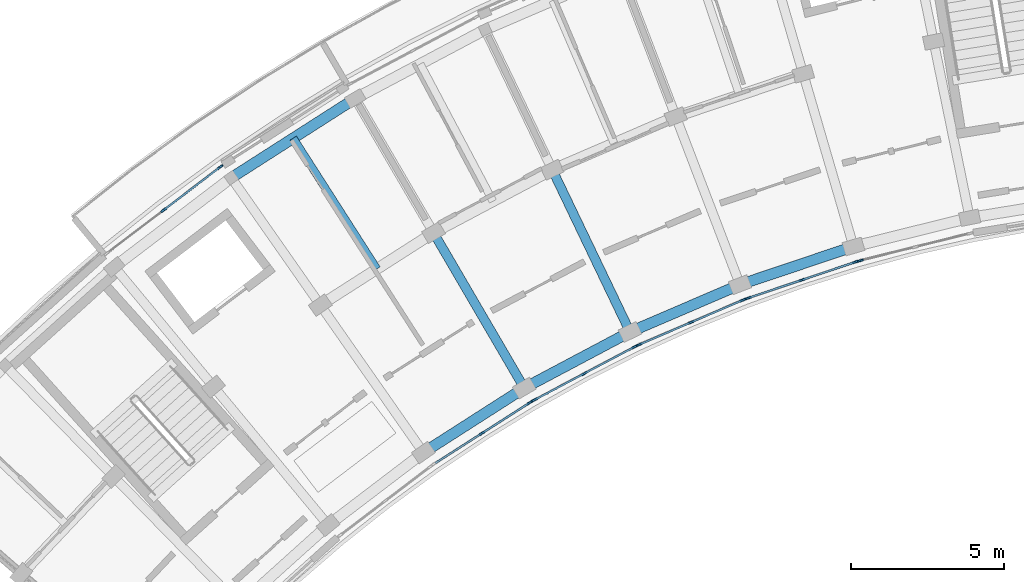
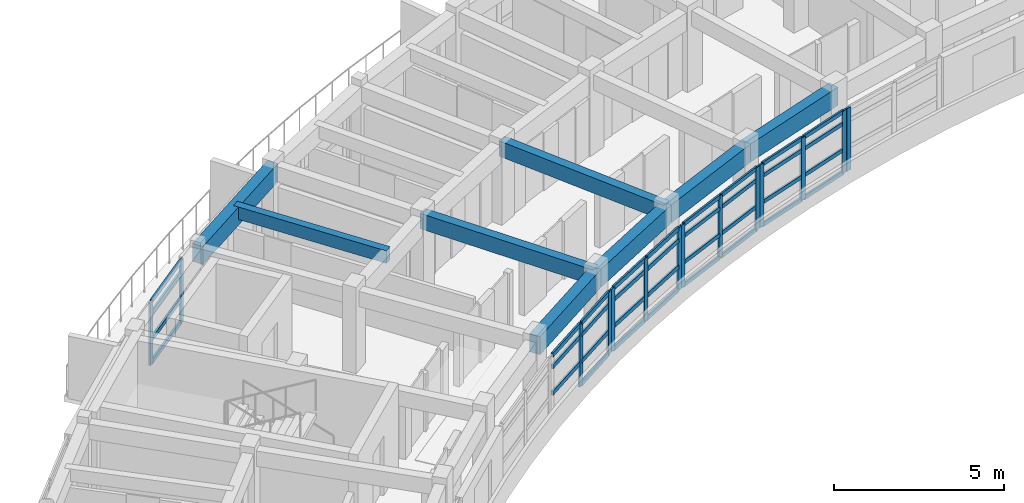
# One storey, part 8 of 20: 49 members, 8 beams, 6 elements without a shape of their own.
"""IFC4 building model written with IfcOpenShell, lengths in metres."""

from ifc_helpers import new_model, si_unit, direction, frame, origin, origin_2d, place, context, subcontext, project, spatial, rectangle, extrude, material, material_profile, profile_set, type_object, element, aggregate, save


model = new_model("IFC4")

# Units and contexts
model_context = context("Model", 3, precision=1e-05, world=origin(), true_north=direction((0.0, 1.0)))
body_context = subcontext(model_context, "Body", "Model", "MODEL_VIEW")
ifc_project = project(units=[si_unit("LENGTHUNIT", "METRE"), si_unit("AREAUNIT", "SQUARE_METRE"), si_unit("VOLUMEUNIT", "CUBIC_METRE"), si_unit("PLANEANGLEUNIT", "RADIAN"), si_unit("MASSUNIT", "GRAM", prefix="KILO")], contexts=[model_context])

# Site, building, storey
site_placement = place(None, origin())
site = spatial("IfcSite", under=ifc_project, at=site_placement, CompositionType="ELEMENT")
building_placement = place(site_placement, origin())
building = spatial("IfcBuilding", under=site, at=building_placement, Name="Zimvara Arc Housing Community", CompositionType="ELEMENT")
storey_placement = place(building_placement, frame((0.0, 0.0, 39.10009765625)))
storey = spatial("IfcBuildingStorey", under=building, at=storey_placement, Name="L12", CompositionType="ELEMENT", Elevation=39.10009765625)

# Beams
ifc_material_1 = material(Name="Concrete C40/50", Category="concrete")
ifc_material_profile_1 = material_profile(ifc_material_1, rectangle(XDim=0.25, YDim=0.449951171875, at=origin_2d()), Name="RC 250x450")
ifc_profile_set_1 = profile_set([ifc_material_profile_1], Name="Concrete C40/50")
beam_type_1 = type_object("IfcBeamType", Name="BM-RC-250x450", PredefinedType="JOIST", material=ifc_profile_set_1)
beam_1_placement = place(storey_placement, frame((16.0224609375, 89.776123046875, 2.635009765625), z_axis=(-0.539052331508, 0.842272274206, 0.0), x_axis=(-0.842272274206, -0.539052331508, 0.0)))
element("IfcBeam", 1, at=beam_1_placement, inside=storey, type_object=beam_type_1, Name="bm:blkA:L12:joist:b3", PredefinedType="JOIST", context=body_context, shape_type="SweptSolid", body=[
    extrude(rectangle(XDim=0.25, YDim=0.449951171875, at=origin_2d()), origin(), (0.0, 0.0, 1.0), 5.07568359375),
])
ifc_material_2 = material(Name="Concrete C40/50", Category="concrete")
ifc_material_profile_2 = material_profile(ifc_material_2, rectangle(XDim=0.300048828125, YDim=0.550048828125, at=origin_2d()), Name="RC 300x550")
ifc_profile_set_2 = profile_set([ifc_material_profile_2], Name="Concrete C40/50")
beam_type_2 = type_object("IfcBeamType", Name="BM-RC-300x550", PredefinedType="BEAM", material=ifc_profile_set_2)
beam_2_placement = place(storey_placement, frame((20.83740234375, 85.88232421875, 2.5849609375), z_axis=(-0.504219494781, 0.863575532934, 0.0), x_axis=(-0.863575532934, -0.504219494781, 0.0)))
element("IfcBeam", 2, at=beam_2_placement, inside=storey, type_object=beam_type_2, Name="bm:blkA:L12:rad:b4:r12", PredefinedType="BEAM", context=body_context, shape_type="SweptSolid", body=[
    extrude(rectangle(XDim=0.300048828125, YDim=0.550048828125, at=origin_2d()), origin(), (0.0, 0.0, 1.0), 5.880126953125),
])
beam_3_placement = place(storey_placement, frame((24.29443359375, 87.7158203125, 2.5849609375), z_axis=(-0.432069527705, 0.901840298073, 0.0), x_axis=(-0.901840298073, -0.432069527705, 0.0)))
element("IfcBeam", 3, at=beam_3_placement, inside=storey, type_object=beam_type_2, Name="bm:blkA:L12:rad:b5:r12", PredefinedType="BEAM", context=body_context, shape_type="SweptSolid", body=[
    extrude(rectangle(XDim=0.300048828125, YDim=0.550048828125, at=origin_2d()), origin(), (0.0, 0.0, 1.0), 5.8798828125),
])
ifc_material_3 = material(Name="Concrete C40/50", Category="concrete")
ifc_material_profile_3 = material_profile(ifc_material_3, rectangle(XDim=0.35009765625, YDim=0.64990234375, at=origin_2d()), Name="RC 350x650")
ifc_profile_set_3 = profile_set([ifc_material_profile_3], Name="Concrete C40/50")
beam_type_3 = type_object("IfcBeamType", Name="BM-RC-350x650", PredefinedType="BEAM", material=ifc_profile_set_3)
beam_4_placement = place(storey_placement, frame((17.541748046875, 83.77294921875, 2.534912109375), z_axis=(0.842253269878, 0.539082024724, 0.0), x_axis=(-0.539082024724, 0.842253269878, 0.0)))
element("IfcBeam", 4, at=beam_4_placement, inside=storey, type_object=beam_type_3, Name="bm:blkA:L12:chord:r1:b3", PredefinedType="BEAM", context=body_context, shape_type="SweptSolid", body=[
    extrude(rectangle(XDim=0.35009765625, YDim=0.64990234375, at=origin_2d()), origin(), (0.0, 0.0, 1.0), 3.912841796875),
])
for number, where, z_axis, x_axis, name in (
    (5, (20.83740234375, 85.88232421875, 2.534912109375), (0.883438625159, 0.468546897948, 0.0), (-0.468546897948, 0.883438625159, 0.0), "bm:blkA:L12:chord:r1:b4"),
    (6, (24.29443359375, 87.7158203125, 2.534912109375), (0.91873144242, 0.394882940514, 0.0), (-0.394882940514, 0.91873144242, 0.0), "bm:blkA:L12:chord:r1:b5"),
    (7, (27.889404296875, 89.260986328125, 2.534912109375), (0.947881689069, 0.31862250945, 0.0), (-0.31862250945, 0.947881689069, 0.0), "bm:blkA:L12:chord:r1:b6"),
):
    element("IfcBeam", number, at=place(storey_placement, frame(where, z_axis=z_axis, x_axis=x_axis)), inside=storey, type_object=beam_type_3, Name=name, PredefinedType="BEAM", context=body_context, shape_type="SweptSolid", body=[
        extrude(rectangle(XDim=0.35009765625, YDim=0.64990234375, at=origin_2d()), origin(), (0.0, 0.0, 1.0), 3.9130859375),
    ])
beam_5_placement = place(storey_placement, frame((11.261474609375, 92.755126953125, 2.534912109375), z_axis=(0.842255724028, 0.539078190379, 0.0), x_axis=(-0.539078190379, 0.842255724028, 0.0)))
element("IfcBeam", 8, at=beam_5_placement, inside=storey, type_object=beam_type_3, Name="bm:blkA:L12:chord:r3:b3", PredefinedType="BEAM", context=body_context, shape_type="SweptSolid", body=[
    extrude(rectangle(XDim=0.35009765625, YDim=0.64990234375, at=origin_2d()), origin(), (0.0, 0.0, 1.0), 4.808349609375),
])

# Curtain wall, members
ifc_material_4 = material(Name="Anodised Aluminium AW-6063", Category="aluminium")
curtain_wall_type_1 = type_object("IfcCurtainWallType", Name="CW-SYS-02", PredefinedType="USERDEFINED", material=ifc_material_4)
curtain_wall_1_placement = place(storey_placement, origin())
curtain_wall_1 = element("IfcCurtainWall", 9, at=curtain_wall_1_placement, inside=storey, type_object=curtain_wall_type_1, Name="cw:blkA:L12:in:b5", ObjectType="CURTAIN WALL", PredefinedType="USERDEFINED")
ifc_material_5 = material(Name="Anodised Aluminium AW-6063", Category="aluminium")
ifc_material_profile_4 = material_profile(ifc_material_5, rectangle(XDim=0.06494140625, YDim=0.179931640625, at=origin_2d()), Name="ALU 65x180")
ifc_profile_set_4 = profile_set([ifc_material_profile_4], Name="Anodised Aluminium AW-6063")
member_type_1 = type_object("IfcMemberType", Name="CWM-65x150", PredefinedType="MULLION", material=ifc_profile_set_4)
member_1_placement = place(storey_placement, frame((24.595458984375, 87.301513671875, 0.0), z_axis=(0.0, 0.0, 1.0), x_axis=(-0.394903951674, 0.918722411261, 0.0)))
member_1 = element("IfcMember", 10, at=member_1_placement, type_object=member_type_1, Name="CW02 mullion 1", PredefinedType="MULLION", context=body_context, shape_type="SweptSolid", body=[
    extrude(rectangle(XDim=0.06494140625, YDim=0.179931640625, at=origin_2d()), origin(), (0.0, 0.0, 1.0), 2.25),
])
member_2_placement = place(storey_placement, frame((26.289306640625, 88.029541015625, 0.0), z_axis=(0.0, 0.0, 1.0), x_axis=(-0.394903951674, 0.918722411261, 0.0)))
member_2 = element("IfcMember", 11, at=member_2_placement, type_object=member_type_1, Name="CW02 mullion 2", PredefinedType="MULLION", context=body_context, shape_type="SweptSolid", body=[
    extrude(rectangle(XDim=0.06494140625, YDim=0.179931640625, at=origin_2d()), origin(), (0.0, 0.0, 1.0), 2.25),
])
member_3_placement = place(storey_placement, frame((27.983154296875, 88.757568359375, 0.0), z_axis=(0.0, 0.0, 1.0), x_axis=(-0.394903951674, 0.918722411261, 0.0)))
member_3 = element("IfcMember", 12, at=member_3_placement, type_object=member_type_1, Name="CW02 mullion 3", PredefinedType="MULLION", context=body_context, shape_type="SweptSolid", body=[
    extrude(rectangle(XDim=0.06494140625, YDim=0.179931640625, at=origin_2d()), origin(), (0.0, 0.0, 1.0), 2.25),
])

ifc_material_6 = material(Name="Anodised Aluminium AW-6063", Category="aluminium")
curtain_wall_type_2 = type_object("IfcCurtainWallType", Name="CW-SYS-04", PredefinedType="USERDEFINED", material=ifc_material_6)
curtain_wall_2_placement = place(storey_placement, origin())
curtain_wall_2 = element("IfcCurtainWall", 13, at=curtain_wall_2_placement, inside=storey, type_object=curtain_wall_type_2, Name="cw:blkA:L12:in:b6", ObjectType="CURTAIN WALL", PredefinedType="USERDEFINED")
member_4_placement = place(storey_placement, frame((28.15576171875, 88.823486328125, 0.0), z_axis=(0.0, 0.0, 1.0), x_axis=(-0.318626909491, 0.94788021002, 0.0)))
member_4 = element("IfcMember", 14, at=member_4_placement, type_object=member_type_1, Name="CW04 mullion 1", PredefinedType="MULLION", context=body_context, shape_type="SweptSolid", body=[
    extrude(rectangle(XDim=0.06494140625, YDim=0.179931640625, at=origin_2d()), origin(), (0.0, 0.0, 1.0), 2.25),
])
member_5_placement = place(storey_placement, frame((29.9033203125, 89.410888671875, 0.0), z_axis=(0.0, 0.0, 1.0), x_axis=(-0.318626909491, 0.94788021002, 0.0)))
member_5 = element("IfcMember", 15, at=member_5_placement, type_object=member_type_1, Name="CW04 mullion 2", PredefinedType="MULLION", context=body_context, shape_type="SweptSolid", body=[
    extrude(rectangle(XDim=0.06494140625, YDim=0.179931640625, at=origin_2d()), origin(), (0.0, 0.0, 1.0), 2.25),
])
member_6_placement = place(storey_placement, frame((31.65087890625, 89.998291015625, 0.0), z_axis=(0.0, 0.0, 1.0), x_axis=(-0.318626909491, 0.94788021002, 0.0)))
member_6 = element("IfcMember", 16, at=member_6_placement, type_object=member_type_1, Name="CW04 mullion 3", PredefinedType="MULLION", context=body_context, shape_type="SweptSolid", body=[
    extrude(rectangle(XDim=0.06494140625, YDim=0.179931640625, at=origin_2d()), origin(), (0.0, 0.0, 1.0), 2.25),
])

# Curtain wall, member
ifc_material_7 = material(Name="Anodised Aluminium AW-6063", Category="aluminium")
curtain_wall_type_3 = type_object("IfcCurtainWallType", Name="CW-SYS-06", PredefinedType="USERDEFINED", material=ifc_material_7)
curtain_wall_3_placement = place(storey_placement, origin())
curtain_wall_3 = element("IfcCurtainWall", 17, at=curtain_wall_3_placement, inside=storey, type_object=curtain_wall_type_3, Name="cw:blkA:L12:in:b7", ObjectType="CURTAIN WALL", PredefinedType="USERDEFINED")
member_7_placement = place(storey_placement, frame((31.828369140625, 90.050048828125, 0.0), z_axis=(0.0, 0.0, 1.0), x_axis=(-0.240229186313, 0.970716198507, 0.0)))
member_7 = element("IfcMember", 18, at=member_7_placement, type_object=member_type_1, Name="CW06 mullion 1", PredefinedType="MULLION", context=body_context, shape_type="SweptSolid", body=[
    extrude(rectangle(XDim=0.06494140625, YDim=0.179931640625, at=origin_2d()), origin(), (0.0, 0.0, 1.0), 2.25),
])
aggregate(curtain_wall_3, [member_7])

# Curtain wall, members
ifc_material_8 = material(Name="Anodised Aluminium AW-6063", Category="aluminium")
curtain_wall_type_4 = type_object("IfcCurtainWallType", Name="CW-SYS-05", PredefinedType="USERDEFINED", material=ifc_material_8)
curtain_wall_4_placement = place(storey_placement, origin())
curtain_wall_4 = element("IfcCurtainWall", 19, at=curtain_wall_4_placement, inside=storey, type_object=curtain_wall_type_4, Name="cw:blkA:L12:out:b2", ObjectType="CURTAIN WALL", PredefinedType="USERDEFINED")
ifc_material_9 = material(Name="Anodised Aluminium AW-6063", Category="aluminium")
ifc_material_profile_5 = material_profile(ifc_material_9, rectangle(XDim=0.06494140625, YDim=0.195068359375, at=origin_2d()), Name="ALU 65x195")
ifc_profile_set_5 = profile_set([ifc_material_profile_5], Name="Anodised Aluminium AW-6063")
member_type_2 = type_object("IfcMemberType", Name="CWM-65x180", PredefinedType="MULLION", material=ifc_profile_set_5)
member_8_placement = place(storey_placement, frame((9.04638671875, 91.69580078125, 0.0), z_axis=(0.0, 0.0, 1.0), x_axis=(-0.60598771987, 0.795473999177, 0.0)))
member_8 = element("IfcMember", 20, at=member_8_placement, type_object=member_type_2, Name="CW05 mullion 2", PredefinedType="MULLION", context=body_context, shape_type="SweptSolid", body=[
    extrude(rectangle(XDim=0.06494140625, YDim=0.195068359375, at=origin_2d()), origin(), (0.0, 0.0, 1.0), 2.25),
])
member_9_placement = place(storey_placement, frame((10.9013671875, 93.10888671875, 0.0), z_axis=(0.0, 0.0, 1.0), x_axis=(-0.60598771987, 0.795473999177, 0.0)))
member_9 = element("IfcMember", 21, at=member_9_placement, type_object=member_type_2, Name="CW05 mullion 3", PredefinedType="MULLION", context=body_context, shape_type="SweptSolid", body=[
    extrude(rectangle(XDim=0.06494140625, YDim=0.195068359375, at=origin_2d()), origin(), (0.0, 0.0, 1.0), 2.25),
])

ifc_material_10 = material(Name="Anodised Aluminium AW-6063", Category="aluminium")
curtain_wall_type_5 = type_object("IfcCurtainWallType", Name="CW-SYS-07", PredefinedType="USERDEFINED", material=ifc_material_10)
curtain_wall_5_placement = place(storey_placement, origin())
curtain_wall_5 = element("IfcCurtainWall", 22, at=curtain_wall_5_placement, inside=storey, type_object=curtain_wall_type_5, Name="cw:blkA:L12:in:b3", ObjectType="CURTAIN WALL", PredefinedType="USERDEFINED")
member_10_placement = place(storey_placement, frame((19.458984375, 84.406982421875, 0.0), z_axis=(0.0, 0.0, 1.0), x_axis=(-0.539065115913, 0.842264092079, 0.0)))
member_10 = element("IfcMember", 23, at=member_10_placement, type_object=member_type_2, Name="CW07 mullion 2", PredefinedType="MULLION", context=body_context, shape_type="SweptSolid", body=[
    extrude(rectangle(XDim=0.06494140625, YDim=0.195068359375, at=origin_2d()), origin(), (0.0, 0.0, 1.0), 2.25),
])
member_11_placement = place(storey_placement, frame((21.01171875, 85.400634765625, 0.0), z_axis=(0.0, 0.0, 1.0), x_axis=(-0.539065115913, 0.842264092079, 0.0)))
member_11 = element("IfcMember", 24, at=member_11_placement, type_object=member_type_2, Name="CW07 mullion 3", PredefinedType="MULLION", context=body_context, shape_type="SweptSolid", body=[
    extrude(rectangle(XDim=0.06494140625, YDim=0.195068359375, at=origin_2d()), origin(), (0.0, 0.0, 1.0), 2.25),
])

ifc_material_11 = material(Name="Anodised Aluminium AW-6063", Category="aluminium")
curtain_wall_type_6 = type_object("IfcCurtainWallType", Name="CW-SYS-01", PredefinedType="USERDEFINED", material=ifc_material_11)
curtain_wall_6_placement = place(storey_placement, origin())
curtain_wall_6 = element("IfcCurtainWall", 25, at=curtain_wall_6_placement, inside=storey, type_object=curtain_wall_type_6, Name="cw:blkA:L12:in:b4", ObjectType="CURTAIN WALL", PredefinedType="USERDEFINED")
member_12_placement = place(storey_placement, frame((21.17138671875, 85.493896484375, 0.0), z_axis=(0.0, 0.0, 1.0), x_axis=(-0.468547099195, 0.883438518424, 0.0)))
member_12 = element("IfcMember", 26, at=member_12_placement, type_object=member_type_2, Name="CW01 mullion 1", PredefinedType="MULLION", context=body_context, shape_type="SweptSolid", body=[
    extrude(rectangle(XDim=0.06494140625, YDim=0.195068359375, at=origin_2d()), origin(), (0.0, 0.0, 1.0), 2.25),
])
member_13_placement = place(storey_placement, frame((22.800048828125, 86.357666015625, 0.0), z_axis=(0.0, 0.0, 1.0), x_axis=(-0.468547099195, 0.883438518424, 0.0)))
member_13 = element("IfcMember", 27, at=member_13_placement, type_object=member_type_2, Name="CW01 mullion 2", PredefinedType="MULLION", context=body_context, shape_type="SweptSolid", body=[
    extrude(rectangle(XDim=0.06494140625, YDim=0.195068359375, at=origin_2d()), origin(), (0.0, 0.0, 1.0), 2.25),
])
member_14_placement = place(storey_placement, frame((24.4287109375, 87.2216796875, 0.0), z_axis=(0.0, 0.0, 1.0), x_axis=(-0.468547099195, 0.883438518424, 0.0)))
member_14 = element("IfcMember", 28, at=member_14_placement, type_object=member_type_2, Name="CW01 mullion 3", PredefinedType="MULLION", context=body_context, shape_type="SweptSolid", body=[
    extrude(rectangle(XDim=0.06494140625, YDim=0.195068359375, at=origin_2d()), origin(), (0.0, 0.0, 1.0), 2.25),
])

# Member
ifc_material_12 = material(Name="Anodised Aluminium AW-6063", Category="aluminium")
ifc_material_profile_6 = material_profile(ifc_material_12, rectangle(XDim=0.06494140625, YDim=0.139892578125, at=origin_2d()), Name="ALU 65x140")
ifc_profile_set_6 = profile_set([ifc_material_profile_6], Name="Anodised Aluminium AW-6063")
member_type_3 = type_object("IfcMemberType", Name="CWT-65x120", PredefinedType="USERDEFINED", material=ifc_profile_set_6)
member_15_placement = place(storey_placement, frame((24.625244140625, 87.314208984375, 0.032470703125), z_axis=(0.918739899324, 0.39486326417, 0.0), x_axis=(-0.39486326417, 0.918739899324, 0.0)))
member_15 = element("IfcMember", 29, at=member_15_placement, type_object=member_type_3, Name="CW02 transom 1.1", ObjectType="TRANSOM", PredefinedType="USERDEFINED", context=body_context, shape_type="SweptSolid", body=[
    extrude(rectangle(XDim=0.06494140625, YDim=0.139892578125, at=origin_2d()), origin(), (0.0, 0.0, 1.0), 1.77880859375),
])

member_16_placement = place(storey_placement, frame((24.625244140625, 87.314208984375, 0.849853515625), z_axis=(0.918739899324, 0.39486326417, 0.0), x_axis=(-0.39486326417, 0.918739899324, 0.0)))
member_16 = element("IfcMember", 30, at=member_16_placement, type_object=member_type_3, Name="CW02 transom 1.2", ObjectType="TRANSOM", PredefinedType="USERDEFINED", context=body_context, shape_type="SweptSolid", body=[
    extrude(rectangle(XDim=0.06494140625, YDim=0.139892578125, at=origin_2d()), origin(), (0.0, 0.0, 1.0), 1.77880859375),
])

member_17_placement = place(storey_placement, frame((24.625244140625, 87.314208984375, 1.7998046875), z_axis=(0.918739899324, 0.39486326417, 0.0), x_axis=(-0.39486326417, 0.918739899324, 0.0)))
member_17 = element("IfcMember", 31, at=member_17_placement, type_object=member_type_3, Name="CW02 transom 1.3", ObjectType="TRANSOM", PredefinedType="USERDEFINED", context=body_context, shape_type="SweptSolid", body=[
    extrude(rectangle(XDim=0.06494140625, YDim=0.139892578125, at=origin_2d()), origin(), (0.0, 0.0, 1.0), 1.77880859375),
])

member_18_placement = place(storey_placement, frame((24.625244140625, 87.314208984375, 2.21728515625), z_axis=(0.918739899324, 0.39486326417, 0.0), x_axis=(-0.39486326417, 0.918739899324, 0.0)))
member_18 = element("IfcMember", 32, at=member_18_placement, type_object=member_type_3, Name="CW02 transom 1.4", ObjectType="TRANSOM", PredefinedType="USERDEFINED", context=body_context, shape_type="SweptSolid", body=[
    extrude(rectangle(XDim=0.06494140625, YDim=0.139892578125, at=origin_2d()), origin(), (0.0, 0.0, 1.0), 1.77880859375),
])

member_19_placement = place(storey_placement, frame((26.319091796875, 88.042236328125, 0.032470703125), z_axis=(0.918718495938, 0.394913060334, 0.0), x_axis=(-0.394913060334, 0.918718495938, 0.0)))
member_19 = element("IfcMember", 33, at=member_19_placement, type_object=member_type_3, Name="CW02 transom 2.1", ObjectType="TRANSOM", PredefinedType="USERDEFINED", context=body_context, shape_type="SweptSolid", body=[
    extrude(rectangle(XDim=0.06494140625, YDim=0.139892578125, at=origin_2d()), origin(), (0.0, 0.0, 1.0), 1.778564453125),
])

member_20_placement = place(storey_placement, frame((26.319091796875, 88.042236328125, 0.849853515625), z_axis=(0.918718495938, 0.394913060334, 0.0), x_axis=(-0.394913060334, 0.918718495938, 0.0)))
member_20 = element("IfcMember", 34, at=member_20_placement, type_object=member_type_3, Name="CW02 transom 2.2", ObjectType="TRANSOM", PredefinedType="USERDEFINED", context=body_context, shape_type="SweptSolid", body=[
    extrude(rectangle(XDim=0.06494140625, YDim=0.139892578125, at=origin_2d()), origin(), (0.0, 0.0, 1.0), 1.778564453125),
])

member_21_placement = place(storey_placement, frame((26.319091796875, 88.042236328125, 1.7998046875), z_axis=(0.918718495938, 0.394913060334, 0.0), x_axis=(-0.394913060334, 0.918718495938, 0.0)))
member_21 = element("IfcMember", 35, at=member_21_placement, type_object=member_type_3, Name="CW02 transom 2.3", ObjectType="TRANSOM", PredefinedType="USERDEFINED", context=body_context, shape_type="SweptSolid", body=[
    extrude(rectangle(XDim=0.06494140625, YDim=0.139892578125, at=origin_2d()), origin(), (0.0, 0.0, 1.0), 1.778564453125),
])

member_22_placement = place(storey_placement, frame((26.319091796875, 88.042236328125, 2.21728515625), z_axis=(0.918718495938, 0.394913060334, 0.0), x_axis=(-0.394913060334, 0.918718495938, 0.0)))
member_22 = element("IfcMember", 36, at=member_22_placement, type_object=member_type_3, Name="CW02 transom 2.4", ObjectType="TRANSOM", PredefinedType="USERDEFINED", context=body_context, shape_type="SweptSolid", body=[
    extrude(rectangle(XDim=0.06494140625, YDim=0.139892578125, at=origin_2d()), origin(), (0.0, 0.0, 1.0), 1.778564453125),
])

aggregate(curtain_wall_1, [member_1, member_2, member_3, member_15, member_16, member_17, member_18, member_19, member_20, member_21, member_22])

member_23_placement = place(storey_placement, frame((28.1865234375, 88.833984375, 0.032470703125), z_axis=(0.947884095882, 0.318615349246, 0.0), x_axis=(-0.318615349246, 0.947884095882, 0.0)))
member_23 = element("IfcMember", 37, at=member_23_placement, type_object=member_type_3, Name="CW04 transom 1.1", ObjectType="TRANSOM", PredefinedType="USERDEFINED", context=body_context, shape_type="SweptSolid", body=[
    extrude(rectangle(XDim=0.06494140625, YDim=0.139892578125, at=origin_2d()), origin(), (0.0, 0.0, 1.0), 1.778564453125),
])

member_24_placement = place(storey_placement, frame((28.1865234375, 88.833984375, 0.849853515625), z_axis=(0.947884095882, 0.318615349246, 0.0), x_axis=(-0.318615349246, 0.947884095882, 0.0)))
member_24 = element("IfcMember", 38, at=member_24_placement, type_object=member_type_3, Name="CW04 transom 1.2", ObjectType="TRANSOM", PredefinedType="USERDEFINED", context=body_context, shape_type="SweptSolid", body=[
    extrude(rectangle(XDim=0.06494140625, YDim=0.139892578125, at=origin_2d()), origin(), (0.0, 0.0, 1.0), 1.778564453125),
])

member_25_placement = place(storey_placement, frame((28.1865234375, 88.833984375, 1.7998046875), z_axis=(0.947884095882, 0.318615349246, 0.0), x_axis=(-0.318615349246, 0.947884095882, 0.0)))
member_25 = element("IfcMember", 39, at=member_25_placement, type_object=member_type_3, Name="CW04 transom 1.3", ObjectType="TRANSOM", PredefinedType="USERDEFINED", context=body_context, shape_type="SweptSolid", body=[
    extrude(rectangle(XDim=0.06494140625, YDim=0.139892578125, at=origin_2d()), origin(), (0.0, 0.0, 1.0), 1.778564453125),
])

member_26_placement = place(storey_placement, frame((28.1865234375, 88.833984375, 2.21728515625), z_axis=(0.947884095882, 0.318615349246, 0.0), x_axis=(-0.318615349246, 0.947884095882, 0.0)))
member_26 = element("IfcMember", 40, at=member_26_placement, type_object=member_type_3, Name="CW04 transom 1.4", ObjectType="TRANSOM", PredefinedType="USERDEFINED", context=body_context, shape_type="SweptSolid", body=[
    extrude(rectangle(XDim=0.06494140625, YDim=0.139892578125, at=origin_2d()), origin(), (0.0, 0.0, 1.0), 1.778564453125),
])

member_27_placement = place(storey_placement, frame((29.93408203125, 89.42138671875, 0.032470703125), z_axis=(0.947884095882, 0.318615349246, 0.0), x_axis=(-0.318615349246, 0.947884095882, 0.0)))
member_27 = element("IfcMember", 41, at=member_27_placement, type_object=member_type_3, Name="CW04 transom 2.1", ObjectType="TRANSOM", PredefinedType="USERDEFINED", context=body_context, shape_type="SweptSolid", body=[
    extrude(rectangle(XDim=0.06494140625, YDim=0.139892578125, at=origin_2d()), origin(), (0.0, 0.0, 1.0), 1.778564453125),
])

member_28_placement = place(storey_placement, frame((29.93408203125, 89.42138671875, 0.849853515625), z_axis=(0.947884095882, 0.318615349246, 0.0), x_axis=(-0.318615349246, 0.947884095882, 0.0)))
member_28 = element("IfcMember", 42, at=member_28_placement, type_object=member_type_3, Name="CW04 transom 2.2", ObjectType="TRANSOM", PredefinedType="USERDEFINED", context=body_context, shape_type="SweptSolid", body=[
    extrude(rectangle(XDim=0.06494140625, YDim=0.139892578125, at=origin_2d()), origin(), (0.0, 0.0, 1.0), 1.778564453125),
])

member_29_placement = place(storey_placement, frame((29.93408203125, 89.42138671875, 1.7998046875), z_axis=(0.947884095882, 0.318615349246, 0.0), x_axis=(-0.318615349246, 0.947884095882, 0.0)))
member_29 = element("IfcMember", 43, at=member_29_placement, type_object=member_type_3, Name="CW04 transom 2.3", ObjectType="TRANSOM", PredefinedType="USERDEFINED", context=body_context, shape_type="SweptSolid", body=[
    extrude(rectangle(XDim=0.06494140625, YDim=0.139892578125, at=origin_2d()), origin(), (0.0, 0.0, 1.0), 1.778564453125),
])

member_30_placement = place(storey_placement, frame((29.93408203125, 89.42138671875, 2.21728515625), z_axis=(0.947884095882, 0.318615349246, 0.0), x_axis=(-0.318615349246, 0.947884095882, 0.0)))
member_30 = element("IfcMember", 44, at=member_30_placement, type_object=member_type_3, Name="CW04 transom 2.4", ObjectType="TRANSOM", PredefinedType="USERDEFINED", context=body_context, shape_type="SweptSolid", body=[
    extrude(rectangle(XDim=0.06494140625, YDim=0.139892578125, at=origin_2d()), origin(), (0.0, 0.0, 1.0), 1.778564453125),
])

aggregate(curtain_wall_2, [member_4, member_5, member_6, member_23, member_24, member_25, member_26, member_27, member_28, member_29, member_30])

ifc_material_13 = material(Name="Anodised Aluminium AW-6063", Category="aluminium")
ifc_material_profile_7 = material_profile(ifc_material_13, rectangle(XDim=0.06494140625, YDim=0.155029296875, at=origin_2d()), Name="ALU 65x155")
ifc_profile_set_7 = profile_set([ifc_material_profile_7], Name="Anodised Aluminium AW-6063")
member_type_4 = type_object("IfcMemberType", Name="CWT-65x140", PredefinedType="USERDEFINED", material=ifc_profile_set_7)
member_31_placement = place(storey_placement, frame((9.072265625, 91.715576171875, 0.032470703125), z_axis=(0.795453969776, 0.606014011363, 0.0), x_axis=(-0.606014011363, 0.795453969776, 0.0)))
member_31 = element("IfcMember", 45, at=member_31_placement, type_object=member_type_4, Name="CW05 transom 2.1", ObjectType="TRANSOM", PredefinedType="USERDEFINED", context=body_context, shape_type="SweptSolid", body=[
    extrude(rectangle(XDim=0.06494140625, YDim=0.155029296875, at=origin_2d()), origin(), (0.0, 0.0, 1.0), 2.266845703125),
])

member_32_placement = place(storey_placement, frame((9.072265625, 91.715576171875, 0.849853515625), z_axis=(0.795453969776, 0.606014011363, 0.0), x_axis=(-0.606014011363, 0.795453969776, 0.0)))
member_32 = element("IfcMember", 46, at=member_32_placement, type_object=member_type_4, Name="CW05 transom 2.2", ObjectType="TRANSOM", PredefinedType="USERDEFINED", context=body_context, shape_type="SweptSolid", body=[
    extrude(rectangle(XDim=0.06494140625, YDim=0.155029296875, at=origin_2d()), origin(), (0.0, 0.0, 1.0), 2.266845703125),
])

member_33_placement = place(storey_placement, frame((9.072265625, 91.715576171875, 1.7998046875), z_axis=(0.795453969776, 0.606014011363, 0.0), x_axis=(-0.606014011363, 0.795453969776, 0.0)))
member_33 = element("IfcMember", 47, at=member_33_placement, type_object=member_type_4, Name="CW05 transom 2.3", ObjectType="TRANSOM", PredefinedType="USERDEFINED", context=body_context, shape_type="SweptSolid", body=[
    extrude(rectangle(XDim=0.06494140625, YDim=0.155029296875, at=origin_2d()), origin(), (0.0, 0.0, 1.0), 2.266845703125),
])

member_34_placement = place(storey_placement, frame((9.072265625, 91.715576171875, 2.21728515625), z_axis=(0.795453969776, 0.606014011363, 0.0), x_axis=(-0.606014011363, 0.795453969776, 0.0)))
member_34 = element("IfcMember", 48, at=member_34_placement, type_object=member_type_4, Name="CW05 transom 2.4", ObjectType="TRANSOM", PredefinedType="USERDEFINED", context=body_context, shape_type="SweptSolid", body=[
    extrude(rectangle(XDim=0.06494140625, YDim=0.155029296875, at=origin_2d()), origin(), (0.0, 0.0, 1.0), 2.266845703125),
])

aggregate(curtain_wall_4, [member_8, member_9, member_31, member_32, member_33, member_34])

member_35_placement = place(storey_placement, frame((17.933349609375, 83.4306640625, 0.849853515625), z_axis=(0.842273893594, 0.539049801197, 0.0), x_axis=(-0.539049801197, 0.842273893594, 0.0)))
member_35 = element("IfcMember", 49, at=member_35_placement, type_object=member_type_4, Name="CW07 transom 1.2", ObjectType="TRANSOM", PredefinedType="USERDEFINED", context=body_context, shape_type="SweptSolid", body=[
    extrude(rectangle(XDim=0.06494140625, YDim=0.155029296875, at=origin_2d()), origin(), (0.0, 0.0, 1.0), 1.778564453125),
])

member_36_placement = place(storey_placement, frame((17.933349609375, 83.4306640625, 1.7998046875), z_axis=(0.842273893594, 0.539049801197, 0.0), x_axis=(-0.539049801197, 0.842273893594, 0.0)))
member_36 = element("IfcMember", 50, at=member_36_placement, type_object=member_type_4, Name="CW07 transom 1.3", ObjectType="TRANSOM", PredefinedType="USERDEFINED", context=body_context, shape_type="SweptSolid", body=[
    extrude(rectangle(XDim=0.06494140625, YDim=0.155029296875, at=origin_2d()), origin(), (0.0, 0.0, 1.0), 1.778564453125),
])

member_37_placement = place(storey_placement, frame((17.933349609375, 83.4306640625, 2.21728515625), z_axis=(0.842273893594, 0.539049801197, 0.0), x_axis=(-0.539049801197, 0.842273893594, 0.0)))
member_37 = element("IfcMember", 51, at=member_37_placement, type_object=member_type_4, Name="CW07 transom 1.4", ObjectType="TRANSOM", PredefinedType="USERDEFINED", context=body_context, shape_type="SweptSolid", body=[
    extrude(rectangle(XDim=0.06494140625, YDim=0.155029296875, at=origin_2d()), origin(), (0.0, 0.0, 1.0), 1.778564453125),
])

member_38_placement = place(storey_placement, frame((19.486328125, 84.42431640625, 0.032470703125), z_axis=(0.842211569309, 0.539147171487, 0.0), x_axis=(-0.539147171487, 0.842211569309, 0.0)))
member_38 = element("IfcMember", 52, at=member_38_placement, type_object=member_type_4, Name="CW07 transom 2.1", ObjectType="TRANSOM", PredefinedType="USERDEFINED", context=body_context, shape_type="SweptSolid", body=[
    extrude(rectangle(XDim=0.06494140625, YDim=0.155029296875, at=origin_2d()), origin(), (0.0, 0.0, 1.0), 1.77880859375),
])

member_39_placement = place(storey_placement, frame((19.486328125, 84.42431640625, 0.849853515625), z_axis=(0.842211569309, 0.539147171487, 0.0), x_axis=(-0.539147171487, 0.842211569309, 0.0)))
member_39 = element("IfcMember", 53, at=member_39_placement, type_object=member_type_4, Name="CW07 transom 2.2", ObjectType="TRANSOM", PredefinedType="USERDEFINED", context=body_context, shape_type="SweptSolid", body=[
    extrude(rectangle(XDim=0.06494140625, YDim=0.155029296875, at=origin_2d()), origin(), (0.0, 0.0, 1.0), 1.77880859375),
])

member_40_placement = place(storey_placement, frame((19.486328125, 84.42431640625, 1.7998046875), z_axis=(0.842211569309, 0.539147171487, 0.0), x_axis=(-0.539147171487, 0.842211569309, 0.0)))
member_40 = element("IfcMember", 54, at=member_40_placement, type_object=member_type_4, Name="CW07 transom 2.3", ObjectType="TRANSOM", PredefinedType="USERDEFINED", context=body_context, shape_type="SweptSolid", body=[
    extrude(rectangle(XDim=0.06494140625, YDim=0.155029296875, at=origin_2d()), origin(), (0.0, 0.0, 1.0), 1.77880859375),
])

member_41_placement = place(storey_placement, frame((19.486328125, 84.42431640625, 2.21728515625), z_axis=(0.842211569309, 0.539147171487, 0.0), x_axis=(-0.539147171487, 0.842211569309, 0.0)))
member_41 = element("IfcMember", 55, at=member_41_placement, type_object=member_type_4, Name="CW07 transom 2.4", ObjectType="TRANSOM", PredefinedType="USERDEFINED", context=body_context, shape_type="SweptSolid", body=[
    extrude(rectangle(XDim=0.06494140625, YDim=0.155029296875, at=origin_2d()), origin(), (0.0, 0.0, 1.0), 1.77880859375),
])

aggregate(curtain_wall_5, [member_10, member_11, member_35, member_36, member_37, member_38, member_39, member_40, member_41])

member_42_placement = place(storey_placement, frame((21.199951171875, 85.509033203125, 0.032470703125), z_axis=(0.883407004942, 0.468606512566, 0.0), x_axis=(-0.468606512566, 0.883407004942, 0.0)))
member_42 = element("IfcMember", 56, at=member_42_placement, type_object=member_type_4, Name="CW01 transom 1.1", ObjectType="TRANSOM", PredefinedType="USERDEFINED", context=body_context, shape_type="SweptSolid", body=[
    extrude(rectangle(XDim=0.06494140625, YDim=0.155029296875, at=origin_2d()), origin(), (0.0, 0.0, 1.0), 1.778564453125),
])

member_43_placement = place(storey_placement, frame((21.199951171875, 85.509033203125, 0.849853515625), z_axis=(0.883407004942, 0.468606512566, 0.0), x_axis=(-0.468606512566, 0.883407004942, 0.0)))
member_43 = element("IfcMember", 57, at=member_43_placement, type_object=member_type_4, Name="CW01 transom 1.2", ObjectType="TRANSOM", PredefinedType="USERDEFINED", context=body_context, shape_type="SweptSolid", body=[
    extrude(rectangle(XDim=0.06494140625, YDim=0.155029296875, at=origin_2d()), origin(), (0.0, 0.0, 1.0), 1.778564453125),
])

member_44_placement = place(storey_placement, frame((21.199951171875, 85.509033203125, 1.7998046875), z_axis=(0.883407004942, 0.468606512566, 0.0), x_axis=(-0.468606512566, 0.883407004942, 0.0)))
member_44 = element("IfcMember", 58, at=member_44_placement, type_object=member_type_4, Name="CW01 transom 1.3", ObjectType="TRANSOM", PredefinedType="USERDEFINED", context=body_context, shape_type="SweptSolid", body=[
    extrude(rectangle(XDim=0.06494140625, YDim=0.155029296875, at=origin_2d()), origin(), (0.0, 0.0, 1.0), 1.778564453125),
])

member_45_placement = place(storey_placement, frame((21.199951171875, 85.509033203125, 2.21728515625), z_axis=(0.883407004942, 0.468606512566, 0.0), x_axis=(-0.468606512566, 0.883407004942, 0.0)))
member_45 = element("IfcMember", 59, at=member_45_placement, type_object=member_type_4, Name="CW01 transom 1.4", ObjectType="TRANSOM", PredefinedType="USERDEFINED", context=body_context, shape_type="SweptSolid", body=[
    extrude(rectangle(XDim=0.06494140625, YDim=0.155029296875, at=origin_2d()), origin(), (0.0, 0.0, 1.0), 1.778564453125),
])

member_46_placement = place(storey_placement, frame((22.828857421875, 86.373046875, 0.032470703125), z_axis=(0.883463823767, 0.468499383238, 0.0), x_axis=(-0.468499383238, 0.883463823767, 0.0)))
member_46 = element("IfcMember", 60, at=member_46_placement, type_object=member_type_4, Name="CW01 transom 2.1", ObjectType="TRANSOM", PredefinedType="USERDEFINED", context=body_context, shape_type="SweptSolid", body=[
    extrude(rectangle(XDim=0.06494140625, YDim=0.155029296875, at=origin_2d()), origin(), (0.0, 0.0, 1.0), 1.778564453125),
])

member_47_placement = place(storey_placement, frame((22.828857421875, 86.373046875, 0.849853515625), z_axis=(0.883463823767, 0.468499383238, 0.0), x_axis=(-0.468499383238, 0.883463823767, 0.0)))
member_47 = element("IfcMember", 61, at=member_47_placement, type_object=member_type_4, Name="CW01 transom 2.2", ObjectType="TRANSOM", PredefinedType="USERDEFINED", context=body_context, shape_type="SweptSolid", body=[
    extrude(rectangle(XDim=0.06494140625, YDim=0.155029296875, at=origin_2d()), origin(), (0.0, 0.0, 1.0), 1.778564453125),
])

member_48_placement = place(storey_placement, frame((22.828857421875, 86.373046875, 1.7998046875), z_axis=(0.883463823767, 0.468499383238, 0.0), x_axis=(-0.468499383238, 0.883463823767, 0.0)))
member_48 = element("IfcMember", 62, at=member_48_placement, type_object=member_type_4, Name="CW01 transom 2.3", ObjectType="TRANSOM", PredefinedType="USERDEFINED", context=body_context, shape_type="SweptSolid", body=[
    extrude(rectangle(XDim=0.06494140625, YDim=0.155029296875, at=origin_2d()), origin(), (0.0, 0.0, 1.0), 1.778564453125),
])

member_49_placement = place(storey_placement, frame((22.828857421875, 86.373046875, 2.21728515625), z_axis=(0.883463823767, 0.468499383238, 0.0), x_axis=(-0.468499383238, 0.883463823767, 0.0)))
member_49 = element("IfcMember", 63, at=member_49_placement, type_object=member_type_4, Name="CW01 transom 2.4", ObjectType="TRANSOM", PredefinedType="USERDEFINED", context=body_context, shape_type="SweptSolid", body=[
    extrude(rectangle(XDim=0.06494140625, YDim=0.155029296875, at=origin_2d()), origin(), (0.0, 0.0, 1.0), 1.778564453125),
])

aggregate(curtain_wall_6, [member_12, member_13, member_14, member_42, member_43, member_44, member_45, member_46, member_47, member_48, member_49])

save(model, "model.ifc")
